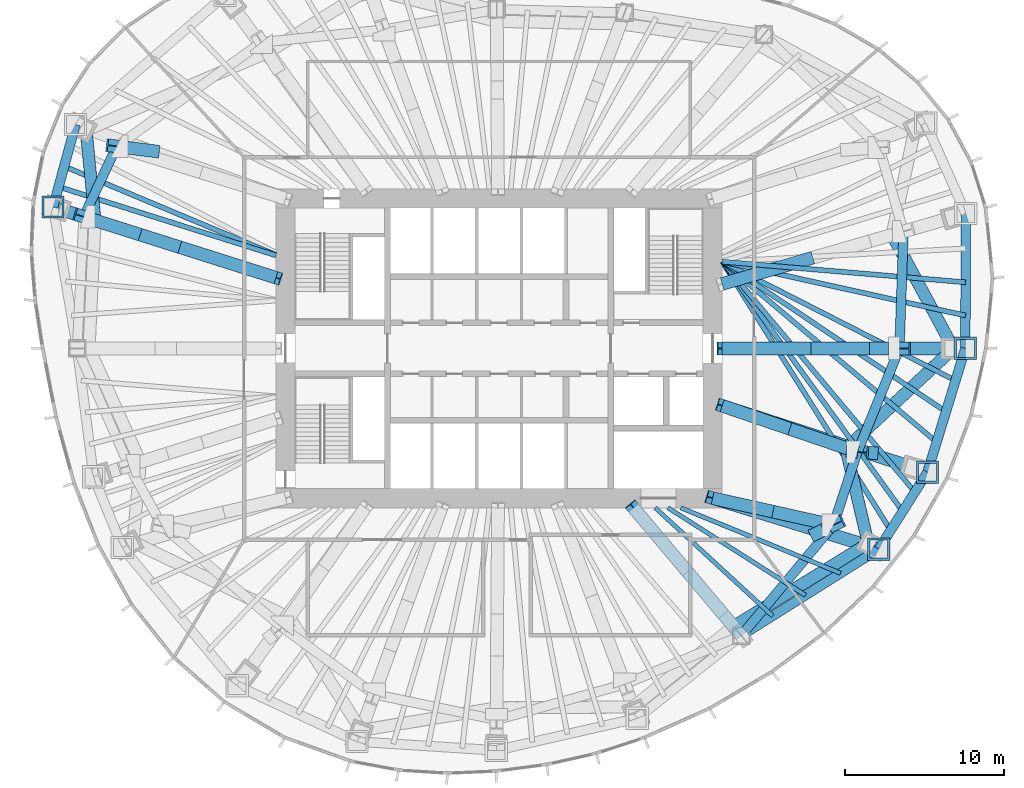
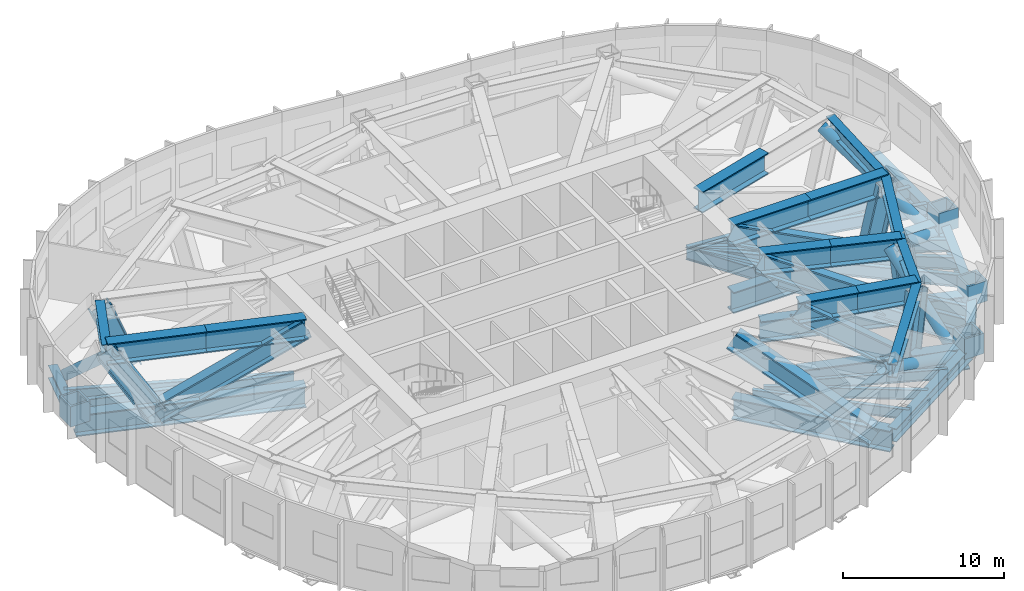
# One storey, part 3 of 12: 38 members, 18 beams.
"""IFC4 building model written with IfcOpenShell, lengths in metres."""

from ifc_helpers import new_model, si_unit, direction, frame, origin, origin_2d, place, context, subcontext, project, spatial, hollow_rectangle, hollow_circle, i_section, extrude, material, material_profile, profile_set, type_object, element, save


model = new_model("IFC4")

# Units and contexts
model_context = context("Model", 3, precision=1e-05, world=origin(), true_north=direction((0.0, 1.0)))
body_context = subcontext(model_context, "Body", "Model", "MODEL_VIEW")
ifc_project = project(units=[si_unit("LENGTHUNIT", "METRE"), si_unit("AREAUNIT", "SQUARE_METRE"), si_unit("VOLUMEUNIT", "CUBIC_METRE"), si_unit("PLANEANGLEUNIT", "RADIAN"), si_unit("MASSUNIT", "GRAM", prefix="KILO")], contexts=[model_context])

# Site, building, storey
site_placement = place(None, origin())
site = spatial("IfcSite", under=ifc_project, at=site_placement, CompositionType="ELEMENT")
building_placement = place(site_placement, origin())
building = spatial("IfcBuilding", under=site, at=building_placement, Name="Ghaith Harvest Tower", CompositionType="ELEMENT")
storey_placement = place(building_placement, frame((0.0, 0.0, 189.800048828125)))
storey = spatial("IfcBuildingStorey", under=building, at=storey_placement, Name="L41", CompositionType="ELEMENT", Elevation=189.800048828125)

# Members
ifc_material_1 = material(Name="Steel S460", Category="steel")
ifc_material_profile_1 = material_profile(ifc_material_1, i_section(OverallWidth=0.60009765625, OverallDepth=1.0, WebThickness=0.02490234375, FlangeThickness=0.050048828125, at=origin_2d()), Name="PG1000X600X25X50")
ifc_profile_set_1 = profile_set([ifc_material_profile_1], Name="Steel S460")
member_type_1 = type_object("IfcMemberType", Name="BCPG1000-600-25-50 PG1000X600X25X50", PredefinedType="CHORD", material=ifc_profile_set_1)
member_1_placement = place(storey_placement, frame((25.125, 0.0, 4.030029296875), z_axis=(0.03446227584, 0.999405999354, 0.0), x_axis=(-0.999405999354, 0.03446227584, 0.0)))
element("IfcMember", 1, at=member_1_placement, inside=storey, type_object=member_type_1, Name="Belt truss BT01 top chord", PredefinedType="CHORD", context=body_context, shape_type="SweptSolid", body=[
    extrude(i_section(OverallWidth=0.60009765625, OverallDepth=1.0, WebThickness=0.02490234375, FlangeThickness=0.050048828125, at=origin_2d()), origin(), (0.0, 0.0, 1.0), 7.33935546875),
])
member_2_placement = place(storey_placement, frame((-23.986083984375, 12.677978515625, 4.030029296875), z_axis=(-0.426170247297, -0.904642979478, 0.0), x_axis=(0.904642979478, -0.426170247297, 0.0)))
element("IfcMember", 2, at=member_2_placement, inside=storey, type_object=member_type_1, Name="Belt truss BT09 top chord", PredefinedType="CHORD", context=body_context, shape_type="SweptSolid", body=[
    extrude(i_section(OverallWidth=0.60009765625, OverallDepth=1.0, WebThickness=0.02490234375, FlangeThickness=0.050048828125, at=origin_2d()), origin(), (0.0, 0.0, 1.0), 4.882568359375),
])
member_3_placement = place(storey_placement, frame((15.197998046875, -18.02294921875, 4.030029296875), z_axis=(0.640173759088, 0.76823014662, 0.0), x_axis=(-0.76823014662, 0.640173759088, 0.0)))
element("IfcMember", 3, at=member_3_placement, inside=storey, type_object=member_type_1, Name="Belt truss BT18 top chord", PredefinedType="CHORD", context=body_context, shape_type="SweptSolid", body=[
    extrude(i_section(OverallWidth=0.60009765625, OverallDepth=1.0, WebThickness=0.02490234375, FlangeThickness=0.050048828125, at=origin_2d()), origin(), (0.0, 0.0, 1.0), 9.02734375),
])
member_4_placement = place(storey_placement, frame((20.97705078125, -11.087890625, 4.030029296875), z_axis=(0.312206727278, 0.950014189074, 0.0), x_axis=(-0.950014189074, 0.312206727278, 0.0)))
element("IfcMember", 4, at=member_4_placement, inside=storey, type_object=member_type_1, Name="Belt truss BT19 top chord", PredefinedType="CHORD", context=body_context, shape_type="SweptSolid", body=[
    extrude(i_section(OverallWidth=0.60009765625, OverallDepth=1.0, WebThickness=0.02490234375, FlangeThickness=0.050048828125, at=origin_2d()), origin(), (0.0, 0.0, 1.0), 4.830322265625),
])
member_5_placement = place(storey_placement, frame((22.485107421875, -6.4990234375, 4.030029296875), z_axis=(0.376335970246, 0.926483263475, 0.0), x_axis=(-0.926483263475, 0.376335970246, 0.0)))
element("IfcMember", 5, at=member_5_placement, inside=storey, type_object=member_type_1, Name="Belt truss BT20 top chord", PredefinedType="CHORD", context=body_context, shape_type="SweptSolid", body=[
    extrude(i_section(OverallWidth=0.60009765625, OverallDepth=1.0, WebThickness=0.02490234375, FlangeThickness=0.050048828125, at=origin_2d()), origin(), (0.0, 0.0, 1.0), 7.0146484375),
])
ifc_material_2 = material(Name="Steel ASTM A992 Grade 50", Category="steel")
ifc_material_profile_2 = material_profile(ifc_material_2, hollow_circle(Radius=0.381103515625, WallThickness=0.01904296875, at=origin_2d()), Name="HSS762X19.1")
ifc_profile_set_2 = profile_set([ifc_material_profile_2], Name="Steel ASTM A992 Grade 50")
member_type_2 = type_object("IfcMemberType", Name="BD762 HSS762X19.1", PredefinedType="BRACE", material=ifc_profile_set_2)
member_6_placement = place(storey_placement, frame((28.509033203125, 0.0, -1.10009765625), z_axis=(-0.401678218718, 0.743242195904, 0.53501929576), x_axis=(-0.879743309679, -0.475448955277, 0.0)))
element("IfcMember", 6, at=member_6_placement, inside=storey, type_object=member_type_2, Name="Belt truss BT01 diagonal", PredefinedType="BRACE", context=body_context, shape_type="SweptSolid", body=[
    extrude(hollow_circle(Radius=0.381103515625, WallThickness=0.01904296875, at=origin_2d()), origin(), (0.0, 0.0, 1.0), 9.588623046875),
])
member_7_placement = place(storey_placement, frame((-25.909912109375, 13.695556640625, -1.10009765625), z_axis=(0.072826461675, -0.739037196202, 0.669716603579), x_axis=(0.995179779811, 0.098067353669, 0.0)))
element("IfcMember", 7, at=member_7_placement, inside=storey, type_object=member_type_2, Name="Belt truss BT09 diagonal", PredefinedType="BRACE", context=body_context, shape_type="SweptSolid", body=[
    extrude(hollow_circle(Radius=0.381103515625, WallThickness=0.01904296875, at=origin_2d()), origin(), (0.0, 0.0, 1.0), 7.66015625),
])
member_8_placement = place(storey_placement, frame((14.714599609375, -17.44970703125, 4.030029296875), z_axis=(0.756249451096, 0.46604495274, -0.459226381802), x_axis=(-0.524636768627, 0.851326177799, 0.0)))
element("IfcMember", 8, at=member_8_placement, inside=storey, type_object=member_type_2, Name="Belt truss BT18 diagonal", PredefinedType="BRACE", context=body_context, shape_type="SweptSolid", body=[
    extrude(hollow_circle(Radius=0.381103515625, WallThickness=0.01904296875, at=origin_2d()), origin(), (0.0, 0.0, 1.0), 11.171142578125),
])
member_9_placement = place(storey_placement, frame((23.162841796875, -12.243408203125, -1.10009765625), z_axis=(-0.175205223858, 0.745784526555, 0.642735225022), x_axis=(-0.973496701464, -0.228701054302, 0.0)))
element("IfcMember", 9, at=member_9_placement, inside=storey, type_object=member_type_2, Name="Belt truss BT19 diagonal", PredefinedType="BRACE", context=body_context, shape_type="SweptSolid", body=[
    extrude(hollow_circle(Radius=0.381103515625, WallThickness=0.01904296875, at=origin_2d()), origin(), (0.0, 0.0, 1.0), 7.981689453125),
])
member_10_placement = place(storey_placement, frame((21.764404296875, -6.290771484375, 4.030029296875), z_axis=(0.639073044682, 0.596068744744, -0.486094327369), x_axis=(-0.682073938674, 0.731283216122, 0.0)))
element("IfcMember", 10, at=member_10_placement, inside=storey, type_object=member_type_2, Name="Belt truss BT20 diagonal", PredefinedType="BRACE", context=body_context, shape_type="SweptSolid", body=[
    extrude(hollow_circle(Radius=0.381103515625, WallThickness=0.01904296875, at=origin_2d()), origin(), (0.0, 0.0, 1.0), 10.5537109375),
])

# Beams
ifc_material_3 = material(Name="Steel S460", Category="steel")
ifc_material_profile_3 = material_profile(ifc_material_3, i_section(OverallWidth=0.60009765625, OverallDepth=1.0, WebThickness=0.02490234375, FlangeThickness=0.050048828125, at=origin_2d()), Name="PG1000X600X25X50")
ifc_profile_set_3 = profile_set([ifc_material_profile_3], Name="Steel S460")
beam_type_1 = type_object("IfcBeamType", Name="EPG1000 PG1000X600X25X50", PredefinedType="SPANDREL", material=ifc_profile_set_3)
beam_1_placement = place(storey_placement, frame((29.259033203125, 0.0, -0.800048828125), z_axis=(0.003172847394, 0.999994966507, 0.0), x_axis=(-0.999994966507, 0.003172847394, 0.0)))
element("IfcBeam", 11, at=beam_1_placement, inside=storey, type_object=beam_type_1, Name="Edge beam E01 L41", PredefinedType="SPANDREL", context=body_context, shape_type="SweptSolid", body=[
    extrude(i_section(OverallWidth=0.60009765625, OverallDepth=1.0, WebThickness=0.02490234375, FlangeThickness=0.050048828125, at=origin_2d()), origin(), (0.0, 0.0, 1.0), 8.464111328125),
])
beam_2_placement = place(storey_placement, frame((-26.572998046875, 14.0458984375, -0.800048828125), z_axis=(-0.262724740433, -0.964870825947, 0.0), x_axis=(0.964870825947, -0.262724740433, 0.0)))
element("IfcBeam", 12, at=beam_2_placement, inside=storey, type_object=beam_type_1, Name="Edge beam E09 L41", PredefinedType="SPANDREL", context=body_context, shape_type="SweptSolid", body=[
    extrude(i_section(OverallWidth=0.60009765625, OverallDepth=1.0, WebThickness=0.02490234375, FlangeThickness=0.050048828125, at=origin_2d()), origin(), (0.0, 0.0, 1.0), 5.366455078125),
])
beam_3_placement = place(storey_placement, frame((15.197998046875, -18.02294921875, -0.800048828125), z_axis=(0.846385185363, 0.532571232793, 0.0), x_axis=(-0.532571232793, 0.846385185363, 0.0)))
element("IfcBeam", 13, at=beam_3_placement, inside=storey, type_object=beam_type_1, Name="Edge beam E18 L41", PredefinedType="SPANDREL", context=body_context, shape_type="SweptSolid", body=[
    extrude(i_section(OverallWidth=0.60009765625, OverallDepth=1.0, WebThickness=0.02490234375, FlangeThickness=0.050048828125, at=origin_2d()), origin(), (0.0, 0.0, 1.0), 10.19384765625),
])
beam_4_placement = place(storey_placement, frame((23.825927734375, -12.593994140625, -0.800048828125), z_axis=(0.534499624093, 0.845168712059, 0.0), x_axis=(-0.845168712059, 0.534499624093, 0.0)))
element("IfcBeam", 14, at=beam_4_placement, inside=storey, type_object=beam_type_1, Name="Edge beam E19 L41", PredefinedType="SPANDREL", context=body_context, shape_type="SweptSolid", body=[
    extrude(i_section(OverallWidth=0.60009765625, OverallDepth=1.0, WebThickness=0.02490234375, FlangeThickness=0.050048828125, at=origin_2d()), origin(), (0.0, 0.0, 1.0), 5.7099609375),
])
beam_5_placement = place(storey_placement, frame((26.8779296875, -7.76806640625, -0.800048828125), z_axis=(0.293065809375, 0.956092271371, 0.0), x_axis=(-0.956092271371, 0.293065809375, 0.0)))
element("IfcBeam", 15, at=beam_5_placement, inside=storey, type_object=beam_type_1, Name="Edge beam E20 L41", PredefinedType="SPANDREL", context=body_context, shape_type="SweptSolid", body=[
    extrude(i_section(OverallWidth=0.60009765625, OverallDepth=1.0, WebThickness=0.02490234375, FlangeThickness=0.050048828125, at=origin_2d()), origin(), (0.0, 0.0, 1.0), 8.124755859375),
])
ifc_material_4 = material(Name="Steel ASTM A992 Grade 50", Category="steel")
ifc_material_profile_4 = material_profile(ifc_material_4, i_section(OverallWidth=0.26806640625, OverallDepth=0.77001953125, WebThickness=0.015625, FlangeThickness=0.025390625, at=origin_2d()), Name="W760X196")
ifc_profile_set_4 = profile_set([ifc_material_profile_4], Name="Steel ASTM A992 Grade 50")
beam_type_2 = type_object("IfcBeamType", Name="J760-196 W760X196", PredefinedType="JOIST", material=ifc_profile_set_4)
beam_6_placement = place(storey_placement, frame((9.800048828125, -10.0, -0.68505859375), z_axis=(0.735441512033, -0.677588210035, 0.0), x_axis=(0.677588210035, 0.735441512033, 0.0)))
element("IfcBeam", 16, at=beam_6_placement, inside=storey, type_object=beam_type_2, Name="Joist J18.1 L41", PredefinedType="JOIST", context=body_context, shape_type="SweptSolid", body=[
    extrude(i_section(OverallWidth=0.26806640625, OverallDepth=0.77001953125, WebThickness=0.015625, FlangeThickness=0.025390625, at=origin_2d()), origin(), (0.0, 0.0, 1.0), 10.01416015625),
])
beam_7_placement = place(storey_placement, frame((10.60009765625, -10.0, -0.68505859375), z_axis=(0.843584777848, -0.536996017288, 0.0), x_axis=(0.536996017288, 0.843584777848, 0.0)))
element("IfcBeam", 17, at=beam_7_placement, inside=storey, type_object=beam_type_2, Name="Joist J18.2 L41", PredefinedType="JOIST", context=body_context, shape_type="SweptSolid", body=[
    extrude(i_section(OverallWidth=0.26806640625, OverallDepth=0.77001953125, WebThickness=0.015625, FlangeThickness=0.025390625, at=origin_2d()), origin(), (0.0, 0.0, 1.0), 10.22314453125),
])
beam_8_placement = place(storey_placement, frame((11.39990234375, -10.0, -0.68505859375), z_axis=(0.925406878607, -0.378975077053, 0.0), x_axis=(0.378975077053, 0.925406878607, 0.0)))
element("IfcBeam", 18, at=beam_8_placement, inside=storey, type_object=beam_type_2, Name="Joist J18.3 L41", PredefinedType="JOIST", context=body_context, shape_type="SweptSolid", body=[
    extrude(i_section(OverallWidth=0.26806640625, OverallDepth=0.77001953125, WebThickness=0.015625, FlangeThickness=0.025390625, at=origin_2d()), origin(), (0.0, 0.0, 1.0), 10.83251953125),
])
ifc_material_5 = material(Name="Steel ASTM A992 Grade 50", Category="steel")
ifc_material_profile_5 = material_profile(ifc_material_5, i_section(OverallWidth=0.31005859375, OverallDepth=0.927001953125, WebThickness=0.019287109375, FlangeThickness=0.031982421875, at=origin_2d()), Name="W920X289")
ifc_profile_set_5 = profile_set([ifc_material_profile_5], Name="Steel ASTM A992 Grade 50")
beam_type_3 = type_object("IfcBeamType", Name="J920-289 W920X289", PredefinedType="JOIST", material=ifc_profile_set_5)
beam_9_placement = place(storey_placement, frame((14.0, 5.4462890625, -0.763427734375), z_axis=(0.976296415792, -0.21643777053, 0.0), x_axis=(0.21643777053, 0.976296415792, 0.0)))
element("IfcBeam", 19, at=beam_9_placement, inside=storey, type_object=beam_type_3, Name="Joist J01.1 L41", PredefinedType="JOIST", context=body_context, shape_type="SweptSolid", body=[
    extrude(i_section(OverallWidth=0.31005859375, OverallDepth=0.927001953125, WebThickness=0.019287109375, FlangeThickness=0.031982421875, at=origin_2d()), origin(), (0.0, 0.0, 1.0), 15.63623046875),
])
beam_10_placement = place(storey_placement, frame((14.0, 5.4462890625, -0.763427734375), z_axis=(0.996391045537, -0.084881590307, 0.0), x_axis=(0.084881590307, 0.996391045537, 0.0)))
element("IfcBeam", 20, at=beam_10_placement, inside=storey, type_object=beam_type_3, Name="Joist J01.2 L41", PredefinedType="JOIST", context=body_context, shape_type="SweptSolid", body=[
    extrude(i_section(OverallWidth=0.31005859375, OverallDepth=0.927001953125, WebThickness=0.019287109375, FlangeThickness=0.031982421875, at=origin_2d()), origin(), (0.0, 0.0, 1.0), 15.32763671875),
])
beam_11_placement = place(storey_placement, frame((-14.0, 5.862548828125, -0.763427734375), z_axis=(-0.922385943167, 0.38626955853, 0.0), x_axis=(-0.38626955853, -0.922385943167, 0.0)))
element("IfcBeam", 21, at=beam_11_placement, inside=storey, type_object=beam_type_3, Name="Joist J09.2 L41", PredefinedType="JOIST", context=body_context, shape_type="SweptSolid", body=[
    extrude(i_section(OverallWidth=0.31005859375, OverallDepth=0.927001953125, WebThickness=0.019287109375, FlangeThickness=0.031982421875, at=origin_2d()), origin(), (0.0, 0.0, 1.0), 14.404296875),
])
beam_12_placement = place(storey_placement, frame((-14.0, 5.8369140625, -0.763427734375), z_axis=(-0.953596340012, 0.301088060733, 0.0), x_axis=(-0.301088060733, -0.953596340012, 0.0)))
element("IfcBeam", 22, at=beam_12_placement, inside=storey, type_object=beam_type_3, Name="Joist J09.3 L41", PredefinedType="JOIST", context=body_context, shape_type="SweptSolid", body=[
    extrude(i_section(OverallWidth=0.31005859375, OverallDepth=0.927001953125, WebThickness=0.019287109375, FlangeThickness=0.031982421875, at=origin_2d()), origin(), (0.0, 0.0, 1.0), 14.299560546875),
])
ifc_material_6 = material(Name="Steel ASTM A992 Grade 50", Category="steel")
ifc_material_profile_6 = material_profile(ifc_material_6, i_section(OverallWidth=0.306884765625, OverallDepth=0.94189453125, WebThickness=0.022216796875, FlangeThickness=0.039794921875, at=origin_2d()), Name="W920X345")
ifc_profile_set_6 = profile_set([ifc_material_profile_6], Name="Steel ASTM A992 Grade 50")
beam_type_4 = type_object("IfcBeamType", Name="J920-345 W920X345", PredefinedType="JOIST", material=ifc_profile_set_6)
beam_13_placement = place(storey_placement, frame((14.0, 5.4462890625, -0.77099609375), z_axis=(0.531070259364, -0.847327787588, 0.0), x_axis=(0.847327787588, 0.531070259364, 0.0)))
element("IfcBeam", 23, at=beam_13_placement, inside=storey, type_object=beam_type_4, Name="Joist J19.1 L41", PredefinedType="JOIST", context=body_context, shape_type="SweptSolid", body=[
    extrude(i_section(OverallWidth=0.306884765625, OverallDepth=0.94189453125, WebThickness=0.022216796875, FlangeThickness=0.039794921875, at=origin_2d()), origin(), (0.0, 0.0, 1.0), 19.90283203125),
])
beam_14_placement = place(storey_placement, frame((14.0, 5.4462890625, -0.77099609375), z_axis=(0.585639452068, -0.810571669984, 0.0), x_axis=(0.810571669984, 0.585639452068, 0.0)))
element("IfcBeam", 24, at=beam_14_placement, inside=storey, type_object=beam_type_4, Name="Joist J19.2 L41", PredefinedType="JOIST", context=body_context, shape_type="SweptSolid", body=[
    extrude(i_section(OverallWidth=0.306884765625, OverallDepth=0.94189453125, WebThickness=0.022216796875, FlangeThickness=0.039794921875, at=origin_2d()), origin(), (0.0, 0.0, 1.0), 19.335205078125),
])
beam_15_placement = place(storey_placement, frame((14.0, 5.4462890625, -0.77099609375), z_axis=(0.641516121102, -0.767109553041, 0.0), x_axis=(0.767109553041, 0.641516121102, 0.0)))
element("IfcBeam", 25, at=beam_15_placement, inside=storey, type_object=beam_type_4, Name="Joist J19.3 L41", PredefinedType="JOIST", context=body_context, shape_type="SweptSolid", body=[
    extrude(i_section(OverallWidth=0.306884765625, OverallDepth=0.94189453125, WebThickness=0.022216796875, FlangeThickness=0.039794921875, at=origin_2d()), origin(), (0.0, 0.0, 1.0), 18.847900390625),
])
beam_16_placement = place(storey_placement, frame((14.0, 5.4462890625, -0.77099609375), z_axis=(0.76502276637, -0.644003235191, 0.0), x_axis=(0.644003235191, 0.76502276637, 0.0)))
element("IfcBeam", 26, at=beam_16_placement, inside=storey, type_object=beam_type_4, Name="Joist J20.1 L41", PredefinedType="JOIST", context=body_context, shape_type="SweptSolid", body=[
    extrude(i_section(OverallWidth=0.306884765625, OverallDepth=0.94189453125, WebThickness=0.022216796875, FlangeThickness=0.039794921875, at=origin_2d()), origin(), (0.0, 0.0, 1.0), 17.58935546875),
])
beam_17_placement = place(storey_placement, frame((14.0, 5.4462890625, -0.77099609375), z_axis=(0.830509806961, -0.557004004063, 0.0), x_axis=(0.557004004063, 0.830509806961, 0.0)))
element("IfcBeam", 27, at=beam_17_placement, inside=storey, type_object=beam_type_4, Name="Joist J20.2 L41", PredefinedType="JOIST", context=body_context, shape_type="SweptSolid", body=[
    extrude(i_section(OverallWidth=0.306884765625, OverallDepth=0.94189453125, WebThickness=0.022216796875, FlangeThickness=0.039794921875, at=origin_2d()), origin(), (0.0, 0.0, 1.0), 16.907470703125),
])
beam_18_placement = place(storey_placement, frame((14.0, 5.4462890625, -0.77099609375), z_axis=(0.890896599046, -0.45420617544, 0.0), x_axis=(0.45420617544, 0.890896599046, 0.0)))
element("IfcBeam", 28, at=beam_18_placement, inside=storey, type_object=beam_type_4, Name="Joist J20.3 L41", PredefinedType="JOIST", context=body_context, shape_type="SweptSolid", body=[
    extrude(i_section(OverallWidth=0.306884765625, OverallDepth=0.94189453125, WebThickness=0.022216796875, FlangeThickness=0.039794921875, at=origin_2d()), origin(), (0.0, 0.0, 1.0), 16.433349609375),
])

# Members
ifc_material_7 = material(Name="Steel S690QL", Category="steel")
ifc_material_profile_7 = material_profile(ifc_material_7, hollow_rectangle(XDim=1.39990234375, YDim=1.39990234375, WallThickness=0.139892578125, at=origin_2d()), Name="BOX1400X1400X140")
ifc_profile_set_7 = profile_set([ifc_material_profile_7], Name="Steel S690QL")
member_type_3 = type_object("IfcMemberType", Name="KN2 BOX1400X1400X140", PredefinedType="USERDEFINED", material=ifc_profile_set_7)
for number, where, z_axis, x_axis, name in (
    (29, (29.259033203125, 0.0, -0.775146484375), (0.0, 0.0, 1.0), (1.0, 0.0, 0.0), "Raked column kink node C01 base L41"),
    (30, (-27.98291015625, 8.867919921875, -0.775146484375), (0.0, 0.0, 1.0), (1.0, 0.0, 0.0), "Raked column kink node C10 base L41"),
    (31, (23.825927734375, -12.593994140625, -0.775146484375), (0.0, 0.0, 1.0), (1.0, 0.0, 0.0), "Raked column kink node C19 base L41"),
    (32, (26.8779296875, -7.76806640625, -0.775146484375), (0.0, 0.0, 1.0), (1.0, 0.0, 0.0), "Raked column kink node C20 base L41"),
):
    element("IfcMember", number, at=place(storey_placement, frame(where, z_axis=z_axis, x_axis=x_axis)), inside=storey, type_object=member_type_3, Name=name, ObjectType="KINK NODE", PredefinedType="USERDEFINED", context=body_context, shape_type="SweptSolid", body=[
        extrude(hollow_rectangle(XDim=1.39990234375, YDim=1.39990234375, WallThickness=0.139892578125, at=origin_2d()), origin(), (0.0, 0.0, 1.0), 1.550048828125),
    ])
ifc_material_8 = material(Name="Steel S460", Category="steel")
ifc_material_profile_8 = material_profile(ifc_material_8, i_section(OverallWidth=0.800048828125, OverallDepth=1.60009765625, WebThickness=0.0400390625, FlangeThickness=0.080078125, at=origin_2d()), Name="PG1600X800X40X80")
ifc_profile_set_8 = profile_set([ifc_material_profile_8], Name="Steel S460")
member_type_4 = type_object("IfcMemberType", Name="OC1600 PG1600X800X40X80", PredefinedType="CHORD", material=ifc_profile_set_8)
member_11_placement = place(storey_placement, frame((14.0, 0.0, -1.10009765625), z_axis=(1.0, 0.0, 0.0), x_axis=(0.0, 1.0, 0.0)))
element("IfcMember", 33, at=member_11_placement, inside=storey, type_object=member_type_4, Name="Outrigger truss OT01 bottom chord", PredefinedType="CHORD", context=body_context, shape_type="SweptSolid", body=[
    extrude(i_section(OverallWidth=0.800048828125, OverallDepth=1.60009765625, WebThickness=0.0400390625, FlangeThickness=0.080078125, at=origin_2d()), origin(), (0.0, 0.0, 1.0), 15.259033203125),
])
for number, where, z_axis, x_axis, name in (
    (34, (14.0, 0.0, 4.030029296875), (1.0, 0.0, 0.0), (0.0, 1.0, 0.0), "Outrigger truss OT01 top chord 1"),
    (35, (19.5625, 0.0, 4.030029296875), (1.0, 0.0, 0.0), (0.0, 1.0, 0.0), "Outrigger truss OT01 top chord 2"),
):
    element("IfcMember", number, at=place(storey_placement, frame(where, z_axis=z_axis, x_axis=x_axis)), inside=storey, type_object=member_type_4, Name=name, PredefinedType="CHORD", context=body_context, shape_type="SweptSolid", body=[
        extrude(i_section(OverallWidth=0.800048828125, OverallDepth=1.60009765625, WebThickness=0.0400390625, FlangeThickness=0.080078125, at=origin_2d()), origin(), (0.0, 0.0, 1.0), 5.5625),
    ])
member_12_placement = place(storey_placement, frame((14.0, 4.04638671875, 4.030029296875), z_axis=(0.960677776578, 0.277665643518, 0.0), x_axis=(-0.277665643518, 0.960677776578, 0.0)))
element("IfcMember", 36, at=member_12_placement, inside=storey, type_object=member_type_4, Name="Outrigger truss OT02 top chord 1", PredefinedType="CHORD", context=body_context, shape_type="SweptSolid", body=[
    extrude(i_section(OverallWidth=0.800048828125, OverallDepth=1.60009765625, WebThickness=0.0400390625, FlangeThickness=0.080078125, at=origin_2d()), origin(), (0.0, 0.0, 1.0), 5.921875),
])
member_13_placement = place(storey_placement, frame((-14.0, 4.43701171875, -1.10009765625), z_axis=(-0.953283605796, 0.302076756671, 0.0), x_axis=(-0.302076756671, -0.953283605796, 0.0)))
element("IfcMember", 37, at=member_13_placement, inside=storey, type_object=member_type_4, Name="Outrigger truss OT10 bottom chord", PredefinedType="CHORD", context=body_context, shape_type="SweptSolid", body=[
    extrude(i_section(OverallWidth=0.800048828125, OverallDepth=1.60009765625, WebThickness=0.0400390625, FlangeThickness=0.080078125, at=origin_2d()), origin(), (0.0, 0.0, 1.0), 14.668212890625),
])
for number, where, z_axis, x_axis, name in (
    (38, (-14.0, 4.43701171875, 4.030029296875), (-0.953284292941, 0.302074588193, 0.0), (-0.302074588193, -0.953284292941, 0.0), "Outrigger truss OT10 top chord 1"),
    (39, (-20.033447265625, 6.348876953125, 4.030029296875), (-0.953273184484, 0.302109641924, 0.0), (-0.302109641924, -0.953273184484, 0.0), "Outrigger truss OT10 top chord 2"),
):
    element("IfcMember", number, at=place(storey_placement, frame(where, z_axis=z_axis, x_axis=x_axis)), inside=storey, type_object=member_type_4, Name=name, PredefinedType="CHORD", context=body_context, shape_type="SweptSolid", body=[
        extrude(i_section(OverallWidth=0.800048828125, OverallDepth=1.60009765625, WebThickness=0.0400390625, FlangeThickness=0.080078125, at=origin_2d()), origin(), (0.0, 0.0, 1.0), 6.3291015625),
    ])
member_14_placement = place(storey_placement, frame((8.4326171875, -10.0, -1.10009765625), z_axis=(0.644649240595, -0.764478486682, 0.0), x_axis=(0.764478486682, 0.644649240595, 0.0)))
element("IfcMember", 40, at=member_14_placement, inside=storey, type_object=member_type_4, Name="Outrigger truss OT18 bottom chord", PredefinedType="CHORD", context=body_context, shape_type="SweptSolid", body=[
    extrude(i_section(OverallWidth=0.800048828125, OverallDepth=1.60009765625, WebThickness=0.0400390625, FlangeThickness=0.080078125, at=origin_2d()), origin(), (0.0, 0.0, 1.0), 10.49462890625),
])
member_15_placement = place(storey_placement, frame((13.39990234375, -9.39990234375, -1.10009765625), z_axis=(0.956137011339, -0.29291981078, 0.0), x_axis=(0.29291981078, 0.956137011339, 0.0)))
element("IfcMember", 41, at=member_15_placement, inside=storey, type_object=member_type_4, Name="Outrigger truss OT19 bottom chord", PredefinedType="CHORD", context=body_context, shape_type="SweptSolid", body=[
    extrude(i_section(OverallWidth=0.800048828125, OverallDepth=1.60009765625, WebThickness=0.0400390625, FlangeThickness=0.080078125, at=origin_2d()), origin(), (0.0, 0.0, 1.0), 10.904296875),
])
for number, where, z_axis, x_axis, name in (
    (42, (13.39990234375, -9.39990234375, 4.030029296875), (0.976072966565, -0.217443243035, 0.0), (0.217443243035, 0.976072966565, 0.0), "Outrigger truss OT19 top chord 1"),
    (43, (17.1884765625, -10.243896484375, 4.030029296875), (0.976072966565, -0.217443243035, 0.0), (0.217443243035, 0.976072966565, 0.0), "Outrigger truss OT19 top chord 2"),
):
    element("IfcMember", number, at=place(storey_placement, frame(where, z_axis=z_axis, x_axis=x_axis)), inside=storey, type_object=member_type_4, Name=name, PredefinedType="CHORD", context=body_context, shape_type="SweptSolid", body=[
        extrude(i_section(OverallWidth=0.800048828125, OverallDepth=1.60009765625, WebThickness=0.0400390625, FlangeThickness=0.080078125, at=origin_2d()), origin(), (0.0, 0.0, 1.0), 3.88134765625),
    ])
member_16_placement = place(storey_placement, frame((14.0, -3.60009765625, -1.10009765625), z_axis=(0.951410331565, -0.307925934262, 0.0), x_axis=(0.307925934262, 0.951410331565, 0.0)))
element("IfcMember", 44, at=member_16_placement, inside=storey, type_object=member_type_4, Name="Outrigger truss OT20 bottom chord", PredefinedType="CHORD", context=body_context, shape_type="SweptSolid", body=[
    extrude(i_section(OverallWidth=0.800048828125, OverallDepth=1.60009765625, WebThickness=0.0400390625, FlangeThickness=0.080078125, at=origin_2d()), origin(), (0.0, 0.0, 1.0), 13.53564453125),
])
member_17_placement = place(storey_placement, frame((14.0, -3.60009765625, 4.030029296875), z_axis=(0.946293383094, -0.323309191197, 0.0), x_axis=(0.323309191197, 0.946293383094, 0.0)))
element("IfcMember", 45, at=member_17_placement, inside=storey, type_object=member_type_4, Name="Outrigger truss OT20 top chord 1", PredefinedType="CHORD", context=body_context, shape_type="SweptSolid", body=[
    extrude(i_section(OverallWidth=0.800048828125, OverallDepth=1.60009765625, WebThickness=0.0400390625, FlangeThickness=0.080078125, at=origin_2d()), origin(), (0.0, 0.0, 1.0), 4.483154296875),
])
member_18_placement = place(storey_placement, frame((18.242431640625, -5.049560546875, 4.030029296875), z_axis=(0.946299074945, -0.323292531244, 0.0), x_axis=(0.323292531244, 0.946299074945, 0.0)))
element("IfcMember", 46, at=member_18_placement, inside=storey, type_object=member_type_4, Name="Outrigger truss OT20 top chord 2", PredefinedType="CHORD", context=body_context, shape_type="SweptSolid", body=[
    extrude(i_section(OverallWidth=0.800048828125, OverallDepth=1.60009765625, WebThickness=0.0400390625, FlangeThickness=0.080078125, at=origin_2d()), origin(), (0.0, 0.0, 1.0), 4.4833984375),
])
ifc_material_9 = material(Name="Steel S460", Category="steel")
ifc_material_profile_9 = material_profile(ifc_material_9, i_section(OverallWidth=0.800048828125, OverallDepth=1.39990234375, WebThickness=0.050048828125, FlangeThickness=0.10009765625, at=origin_2d()), Name="PG1400X800X50X100")
ifc_profile_set_9 = profile_set([ifc_material_profile_9], Name="Steel S460")
member_type_5 = type_object("IfcMemberType", Name="OD1400 PG1400X800X50X100", PredefinedType="BRACE", material=ifc_profile_set_9)
member_19_placement = place(storey_placement, frame((14.0, 0.0, 4.030029296875), z_axis=(0.888221642521, 0.0, -0.459415186686), x_axis=(0.0, 1.0, 0.0)))
element("IfcMember", 47, at=member_19_placement, inside=storey, type_object=member_type_5, Name="Outrigger truss OT01 diagonal 1", PredefinedType="BRACE", context=body_context, shape_type="SweptSolid", body=[
    extrude(i_section(OverallWidth=0.800048828125, OverallDepth=1.39990234375, WebThickness=0.050048828125, FlangeThickness=0.10009765625, at=origin_2d()), origin(), (0.0, 0.0, 1.0), 11.166748046875),
])
member_20_placement = place(storey_placement, frame((23.91845703125, 0.0, -1.10009765625), z_axis=(0.22894121338, 0.0, 0.973440250255), x_axis=(0.0, 1.0, 0.0)))
element("IfcMember", 48, at=member_20_placement, inside=storey, type_object=member_type_5, Name="Outrigger truss OT01 diagonal 2", PredefinedType="BRACE", context=body_context, shape_type="SweptSolid", body=[
    extrude(i_section(OverallWidth=0.800048828125, OverallDepth=1.39990234375, WebThickness=0.050048828125, FlangeThickness=0.10009765625, at=origin_2d()), origin(), (0.0, 0.0, 1.0), 5.27001953125),
])
member_21_placement = place(storey_placement, frame((-21.96240234375, 12.419921875, -1.10009765625), z_axis=(-0.366550754537, 0.046741964959, 0.92922318797), x_axis=(-0.126494088637, -0.991967361126, 0.0)))
element("IfcMember", 49, at=member_21_placement, inside=storey, type_object=member_type_5, Name="Outrigger truss OT09 diagonal 2", PredefinedType="BRACE", context=body_context, shape_type="SweptSolid", body=[
    extrude(i_section(OverallWidth=0.800048828125, OverallDepth=1.39990234375, WebThickness=0.050048828125, FlangeThickness=0.10009765625, at=origin_2d()), origin(), (0.0, 0.0, 1.0), 5.52099609375),
])
member_22_placement = place(storey_placement, frame((-14.0, 4.43701171875, 4.030029296875), z_axis=(-0.839480835759, 0.266011856871, -0.473824459475), x_axis=(-0.302073610825, -0.953284602646, 0.0)))
element("IfcMember", 50, at=member_22_placement, inside=storey, type_object=member_type_5, Name="Outrigger truss OT10 diagonal 1", PredefinedType="BRACE", context=body_context, shape_type="SweptSolid", body=[
    extrude(i_section(OverallWidth=0.800048828125, OverallDepth=1.39990234375, WebThickness=0.050048828125, FlangeThickness=0.10009765625, at=origin_2d()), origin(), (0.0, 0.0, 1.0), 10.8271484375),
])
member_23_placement = place(storey_placement, frame((-23.089111328125, 7.317138671875, -1.10009765625), z_axis=(-0.495772484343, 0.157141626996, 0.854117177461), x_axis=(-0.302148594186, -0.953260838927, 0.0)))
element("IfcMember", 51, at=member_23_placement, inside=storey, type_object=member_type_5, Name="Outrigger truss OT10 diagonal 2", PredefinedType="BRACE", context=body_context, shape_type="SweptSolid", body=[
    extrude(i_section(OverallWidth=0.800048828125, OverallDepth=1.39990234375, WebThickness=0.050048828125, FlangeThickness=0.10009765625, at=origin_2d()), origin(), (0.0, 0.0, 1.0), 6.00634765625),
])
member_24_placement = place(storey_placement, frame((8.4326171875, -10.0, 4.030029296875), z_axis=(0.566483314616, -0.671784703812, -0.477286042102), x_axis=(0.764479361182, 0.644648203539, 0.0)))
element("IfcMember", 52, at=member_24_placement, inside=storey, type_object=member_type_5, Name="Outrigger truss OT18 diagonal 1", PredefinedType="BRACE", context=body_context, shape_type="SweptSolid", body=[
    extrude(i_section(OverallWidth=0.800048828125, OverallDepth=1.39990234375, WebThickness=0.050048828125, FlangeThickness=0.10009765625, at=origin_2d()), origin(), (0.0, 0.0, 1.0), 10.74853515625),
])
member_25_placement = place(storey_placement, frame((13.39990234375, -9.39990234375, 4.030029296875), z_axis=(0.774549588988, -0.237284113432, -0.586318329674), x_axis=(0.292914150074, 0.956138745521, 0.0)))
element("IfcMember", 53, at=member_25_placement, inside=storey, type_object=member_type_5, Name="Outrigger truss OT19 diagonal 1", PredefinedType="BRACE", context=body_context, shape_type="SweptSolid", body=[
    extrude(i_section(OverallWidth=0.800048828125, OverallDepth=1.39990234375, WebThickness=0.050048828125, FlangeThickness=0.10009765625, at=origin_2d()), origin(), (0.0, 0.0, 1.0), 8.749755859375),
])
member_26_placement = place(storey_placement, frame((20.177001953125, -11.47607421875, -1.10009765625), z_axis=(0.153659709387, 0.074555672239, 0.985307132547), x_axis=(-0.43652946041, 0.899689963373, 0.0)))
element("IfcMember", 54, at=member_26_placement, inside=storey, type_object=member_type_5, Name="Outrigger truss OT19 diagonal 2", PredefinedType="BRACE", context=body_context, shape_type="SweptSolid", body=[
    extrude(i_section(OverallWidth=0.800048828125, OverallDepth=1.39990234375, WebThickness=0.050048828125, FlangeThickness=0.10009765625, at=origin_2d()), origin(), (0.0, 0.0, 1.0), 5.20654296875),
])
member_27_placement = place(storey_placement, frame((14.0, -3.60009765625, 4.030029296875), z_axis=(0.838088130851, -0.271230962306, -0.473330803998), x_axis=(0.307907431758, 0.95141631974, 0.0)))
element("IfcMember", 55, at=member_27_placement, inside=storey, type_object=member_type_5, Name="Outrigger truss OT20 diagonal 1", PredefinedType="BRACE", context=body_context, shape_type="SweptSolid", body=[
    extrude(i_section(OverallWidth=0.800048828125, OverallDepth=1.39990234375, WebThickness=0.050048828125, FlangeThickness=0.10009765625, at=origin_2d()), origin(), (0.0, 0.0, 1.0), 10.83837890625),
])
member_28_placement = place(storey_placement, frame((23.08349609375, -6.539794921875, -1.10009765625), z_axis=(-0.115852995506, 0.007893696552, 0.993235003907), x_axis=(-0.067977846084, -0.997686830845, 0.0)))
element("IfcMember", 56, at=member_28_placement, inside=storey, type_object=member_type_5, Name="Outrigger truss OT20 diagonal 2", PredefinedType="BRACE", context=body_context, shape_type="SweptSolid", body=[
    extrude(i_section(OverallWidth=0.800048828125, OverallDepth=1.39990234375, WebThickness=0.050048828125, FlangeThickness=0.10009765625, at=origin_2d()), origin(), (0.0, 0.0, 1.0), 5.1650390625),
])

save(model, "model.ifc")
